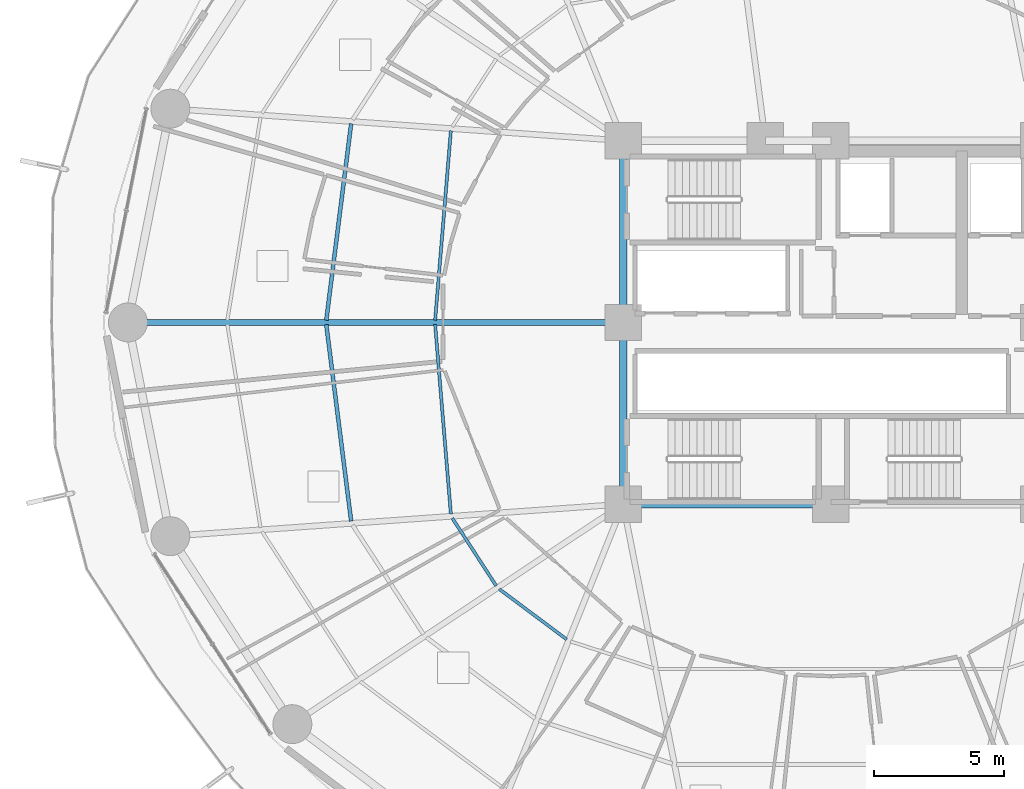
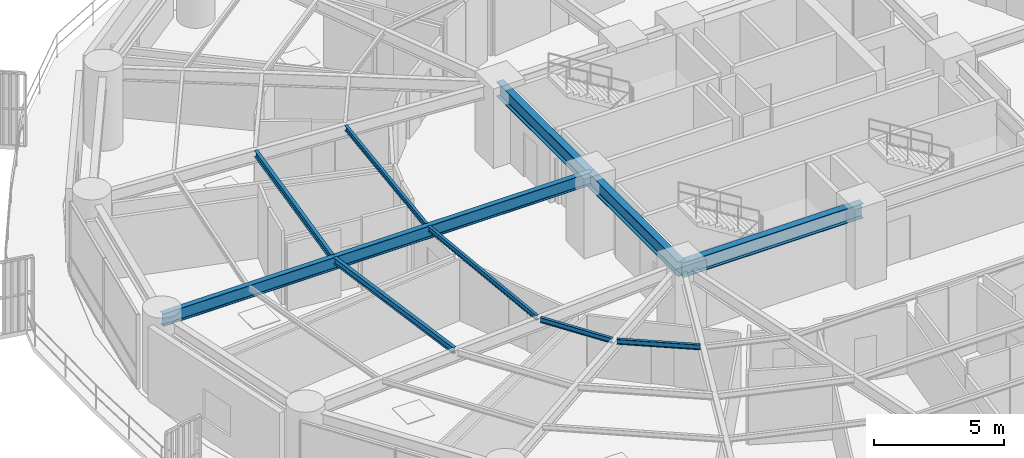
# One storey, part 7 of 32: 10 beams.
"""IFC4 building model written with IfcOpenShell, lengths in metres."""

import ifcopenshell
import ifcopenshell.guid

model = None  # the IFC model being written
_history = None  # IfcOwnerHistory: only IFC2X3 demands one
_inside = {}  # id of a spatial element -> (the spatial element, [elements in it])
_under = {}  # id of a project, library or spatial element -> (it, [spatial elements below it])
_declared = {}  # id of a project -> (the project, [libraries it declares])
_typed = {}  # id of a type object -> (the type object, [elements of that type])
_made_of = {}  # id of a material, layer set ... -> (it, [elements and type objects made of it])


def new_model(schema):
    """Start an empty IFC model of exactly this schema.

    Asked for "IFC4X3", IfcOpenShell would pick the latest addendum, in which some entities
    have other attributes; the version numbers below select the first issue.
    IFC2X3 requires an IfcOwnerHistory on every rooted entity: one is made here for all.
    """
    global model, _history
    if schema == "IFC4X3":
        model = ifcopenshell.file(schema_version=(4, 3, 0, 0))
    else:
        model = ifcopenshell.file(schema=schema)
    _inside.clear()
    _under.clear()
    _declared.clear()
    _typed.clear()
    _made_of.clear()
    _history = None
    if model.schema == "IFC2X3":
        org = make("IfcOrganization", Name="unknown")
        user = make(
            "IfcPersonAndOrganization",
            ThePerson=make("IfcPerson", FamilyName="unknown"),
            TheOrganization=org,
        )
        app = make(
            "IfcApplication",
            ApplicationDeveloper=org,
            Version="unknown",
            ApplicationFullName="unknown",
            ApplicationIdentifier="unknown",
        )
        _history = make(
            "IfcOwnerHistory",
            OwningUser=user,
            OwningApplication=app,
            ChangeAction="ADDED",
            CreationDate=0,
        )
    return model


def make(cls, **values):
    """One entity of the class cls with the attributes given. An attribute that is None is left unset."""
    return model.create_entity(
        cls, **{name: value for name, value in values.items() if value is not None}
    )


def rooted(cls, **values):
    """An entity with a GlobalId (a new one), such as an element, a storey or a relation."""
    return make(cls, GlobalId=ifcopenshell.guid.new(), OwnerHistory=_history, **values)


def si_unit(unit_type, name, prefix=None):
    """IfcSIUnit, for example si_unit("LENGTHUNIT", "METRE", prefix="MILLI")."""
    return make("IfcSIUnit", UnitType=unit_type, Prefix=prefix, Name=name)


def assignment(units):
    """IfcUnitAssignment: the units of a project."""
    return None if units is None else make("IfcUnitAssignment", Units=units)


def point(xyz):
    """IfcCartesianPoint."""
    return None if xyz is None else make("IfcCartesianPoint", Coordinates=xyz)


def direction(xyz):
    """IfcDirection."""
    return None if xyz is None else make("IfcDirection", DirectionRatios=xyz)


def frame(location, z_axis=None, x_axis=None):
    """IfcAxis2Placement3D, a coordinate frame: its origin and axes. An axis left out is left unset."""
    return make(
        "IfcAxis2Placement3D",
        Location=point(location),
        Axis=direction(z_axis),
        RefDirection=direction(x_axis),
    )


def frame_2d(location, x_axis=None):
    """IfcAxis2Placement2D, a coordinate frame in the plane: its origin and x axis."""
    return make(
        "IfcAxis2Placement2D", Location=point(location), RefDirection=direction(x_axis)
    )


def origin():
    """The frame at (0, 0, 0) with its axes left unset."""
    return frame((0.0, 0.0, 0.0))


def origin_2d():
    """The frame at (0, 0) in the plane with its x axis left unset."""
    return frame_2d((0.0, 0.0))


def place(relative_to, where):
    """IfcLocalPlacement: puts the frame where relative to a parent placement (None: the world)."""
    return make(
        "IfcLocalPlacement", PlacementRelTo=relative_to, RelativePlacement=where
    )


def context(
    kind, dimensions, precision=None, world=None, true_north=None, identifier=None
):
    """IfcGeometricRepresentationContext, for example the 3D "Model" context."""
    return make(
        "IfcGeometricRepresentationContext",
        ContextIdentifier=identifier,
        ContextType=kind,
        CoordinateSpaceDimension=dimensions,
        Precision=precision,
        WorldCoordinateSystem=world,
        TrueNorth=true_north,
    )


def subcontext(parent, identifier, kind, view, scale=None):
    """IfcGeometricRepresentationSubContext, for example "Body" below "Model"."""
    return make(
        "IfcGeometricRepresentationSubContext",
        ContextIdentifier=identifier,
        ContextType=kind,
        ParentContext=parent,
        TargetScale=scale,
        TargetView=view,
    )


def project(units=None, contexts=None):
    """IfcProject with its units and contexts."""
    return rooted(
        "IfcProject",
        Name="project",
        RepresentationContexts=contexts,
        UnitsInContext=assignment(units),
    )


def spatial(cls, under=None, at=None, **own):
    """A site, building, storey or space (cls), placed at a placement, below another one or the project."""
    s = rooted(cls, ObjectPlacement=at, **own)
    if under is not None:
        _under.setdefault(under.id(), (under, []))[1].append(s)
    return s


def profile(cls, at=None, kind="AREA", **sizes):
    """A parametric profile (cls). Its sizes go by their IFC names, for example OverallWidth=200.0."""
    return make(cls, ProfileType=kind, Position=at, **sizes)


def i_section(**sizes):
    """IfcIShapeProfileDef."""
    return profile("IfcIShapeProfileDef", **sizes)


def extrude(swept, where, along, depth):
    """IfcExtrudedAreaSolid: the profile swept, set in the frame where, extruded along a direction by depth."""
    return make(
        "IfcExtrudedAreaSolid",
        SweptArea=swept,
        Position=where,
        ExtrudedDirection=direction(along),
        Depth=depth,
    )


def shape(context_of_items, identifier, shape_type, items):
    """IfcShapeRepresentation: the items that make up one representation, for example the "Body"."""
    return make(
        "IfcShapeRepresentation",
        ContextOfItems=context_of_items,
        RepresentationIdentifier=identifier,
        RepresentationType=shape_type,
        Items=items,
    )


def material(Name=None, Category=None):
    """IfcMaterial."""
    return make("IfcMaterial", Name=Name, Category=Category)


def material_profile(
    of_material, cross_section, Name=None, Category=None, Priority=None
):
    """IfcMaterialProfile: a cross section and its material."""
    return make(
        "IfcMaterialProfile",
        Name=Name,
        Material=of_material,
        Profile=cross_section,
        Priority=Priority,
        Category=Category,
    )


def profile_set(profiles, Name=None, composite=None):
    """IfcMaterialProfileSet."""
    return make(
        "IfcMaterialProfileSet",
        Name=Name,
        MaterialProfiles=profiles,
        CompositeProfile=composite,
    )


def made_of(thing, what):
    """Note that an element or type object is made of a material, layer set ...; save() writes the relation."""
    if what is not None:
        _made_of.setdefault(what.id(), (what, []))[1].append(thing)
    return thing


def type_object(cls, material=None, **own):
    """A type object (cls), such as IfcWallType, which elements share."""
    return made_of(rooted(cls, **own), material)


def element(
    cls,
    number,
    at=None,
    inside=None,
    cuts=None,
    type_object=None,
    material=None,
    context=None,
    identifier="Body",
    shape_type=None,
    held_by="IfcProductDefinitionShape",
    body=None,
    shapes=None,
    **own,
):
    """One element of the class cls, such as IfcWall. Its Tag is "e" and its number.

    at: its placement. inside: the storey or other place that contains it. cuts: it is an
    opening in that element (IfcRelVoidsElement). A single representation is given by context,
    identifier, shape_type and body (its items); several are given by shapes. held_by: the class
    of the entity that holds the representations. save() writes the other relations.
    """
    e = rooted(cls, Tag="e%d" % number, ObjectPlacement=at, **own)
    if body is not None:
        shapes = [shape(context, identifier, shape_type, body)]
    if shapes is not None:
        e.Representation = make(held_by, Representations=shapes)
    if inside is not None:
        _inside.setdefault(inside.id(), (inside, []))[1].append(e)
    if cuts is not None:
        rooted(
            "IfcRelVoidsElement", RelatingBuildingElement=cuts, RelatedOpeningElement=e
        )
    if type_object is not None:
        _typed.setdefault(type_object.id(), (type_object, []))[1].append(e)
    return made_of(e, material)


def aggregate(whole, parts):
    """IfcRelAggregates: a whole, such as a stair, and the parts it consists of."""
    return rooted("IfcRelAggregates", RelatingObject=whole, RelatedObjects=parts)


def save(model, path):
    """Write the relations noted so far, then the file.

    IfcRelAggregates (storeys below a building ...), IfcRelContainedInSpatialStructure (elements
    in a storey), IfcRelDefinesByType, IfcRelAssociatesMaterial and IfcRelDeclares: one each for
    every whole, place, type object, material and project.
    """
    for whole, parts in _under.values():
        aggregate(whole, parts)
    for where, things in _inside.values():
        rooted(
            "IfcRelContainedInSpatialStructure",
            RelatedElements=things,
            RelatingStructure=where,
        )
    for kind, things in _typed.values():
        rooted("IfcRelDefinesByType", RelatedObjects=things, RelatingType=kind)
    for what, things in _made_of.values():
        rooted("IfcRelAssociatesMaterial", RelatedObjects=things, RelatingMaterial=what)
    for by, libraries in _declared.values():
        rooted("IfcRelDeclares", RelatingContext=by, RelatedDefinitions=libraries)
    model.write(path)


model = new_model("IFC4")

# Units and contexts
model_context = context("Model", 3, precision=1e-05, world=origin(), true_north=direction((0.0, 1.0)))
body_context = subcontext(model_context, "Body", "Model", "MODEL_VIEW")
ifc_project = project(units=[si_unit("LENGTHUNIT", "METRE"), si_unit("AREAUNIT", "SQUARE_METRE"), si_unit("VOLUMEUNIT", "CUBIC_METRE"), si_unit("PLANEANGLEUNIT", "RADIAN"), si_unit("MASSUNIT", "GRAM", prefix="KILO")], contexts=[model_context])

# Site, building, storey
site_placement = place(None, origin())
site = spatial("IfcSite", under=ifc_project, at=site_placement, CompositionType="ELEMENT")
building_placement = place(site_placement, origin())
building = spatial("IfcBuilding", under=site, at=building_placement, Name="Kelanora Arch Commons", CompositionType="ELEMENT")
storey_placement = place(building_placement, frame((0.0, 0.0, 48.75)))
storey = spatial("IfcBuildingStorey", under=building, at=storey_placement, Name="L12", CompositionType="ELEMENT", Elevation=48.75)

# Beams
ifc_material = material(Name="Steel S355", Category="steel")
ifc_material_profile_1 = material_profile(ifc_material, i_section(OverallWidth=0.300048828125, OverallDepth=0.699951171875, WebThickness=0.01708984375, FlangeThickness=0.031982421875, FilletRadius=0.027099609375, at=origin_2d()), Name="HEB700")
ifc_profile_set_1 = profile_set([ifc_material_profile_1], Name="Steel S355")
beam_type_1 = type_object("IfcBeamType", Name="BM-CORE-HDR", PredefinedType="BEAM", material=ifc_profile_set_1)
beam_1_placement = place(storey_placement, frame((66.0, 51.0, 3.139892578125), z_axis=(1.0, 0.0, 0.0), x_axis=(0.0, 1.0, 0.0)))
element("IfcBeam", 1, at=beam_1_placement, inside=storey, type_object=beam_type_1, Name="Core Header Beam 01 L12", PredefinedType="BEAM", context=body_context, shape_type="SweptSolid", body=[
    extrude(i_section(OverallWidth=0.300048828125, OverallDepth=0.699951171875, WebThickness=0.01708984375, FlangeThickness=0.031982421875, FilletRadius=0.027099609375, at=origin_2d()), origin(), (0.0, 0.0, 1.0), 8.0),
])
for number, where, z_axis, x_axis, name in (
    (2, (66.0, 65.0, 3.139892578125), (0.0, -1.0, 0.0), (1.0, 0.0, 0.0), "Core Header Beam 08 L12"),
    (3, (66.0, 58.0, 3.139892578125), (0.0, -1.0, 0.0), (1.0, 0.0, 0.0), "Core Header Beam 09 L12"),
):
    element("IfcBeam", number, at=place(storey_placement, frame(where, z_axis=z_axis, x_axis=x_axis)), inside=storey, type_object=beam_type_1, Name=name, PredefinedType="BEAM", context=body_context, shape_type="SweptSolid", body=[
        extrude(i_section(OverallWidth=0.300048828125, OverallDepth=0.699951171875, WebThickness=0.01708984375, FlangeThickness=0.031982421875, FilletRadius=0.027099609375, at=origin_2d()), origin(), (0.0, 0.0, 1.0), 7.0),
    ])
ifc_material_profile_2 = material_profile(ifc_material, i_section(OverallWidth=0.14990234375, OverallDepth=0.300048828125, WebThickness=0.007080078125, FlangeThickness=0.0107421875, FilletRadius=0.014892578125, at=origin_2d()), Name="IPE300")
ifc_profile_set_2 = profile_set([ifc_material_profile_2], Name="Steel S355")
beam_type_2 = type_object("IfcBeamType", Name="BM-JST-01", PredefinedType="JOIST", material=ifc_profile_set_2)
for number, where, z_axis, x_axis, name in (
    (4, (55.521240234375, 65.6572265625, 3.340087890625), (-0.125565841651, -0.992085288375, 0.0), (0.992085288375, -0.125565841651, 0.0), "Secondary Chord Joist BJB-16 L12"),
    (5, (54.562744140625, 57.915771484375, 3.340087890625), (0.125565841651, -0.992085288375, 0.0), (0.992085288375, 0.125565841651, 0.0), "Secondary Chord Joist BJB-18 L12"),
):
    element("IfcBeam", number, at=place(storey_placement, frame(where, z_axis=z_axis, x_axis=x_axis)), inside=storey, type_object=beam_type_2, Name=name, PredefinedType="JOIST", context=body_context, shape_type="SweptSolid", body=[
        extrude(i_section(OverallWidth=0.14990234375, OverallDepth=0.300048828125, WebThickness=0.007080078125, FlangeThickness=0.0107421875, FilletRadius=0.014892578125, at=origin_2d()), origin(), (0.0, 0.0, 1.0), 7.63330078125),
    ])
ifc_material_profile_3 = material_profile(ifc_material, i_section(OverallWidth=0.1201171875, OverallDepth=0.239990234375, WebThickness=0.006103515625, FlangeThickness=0.009765625, FilletRadius=0.014892578125, at=origin_2d()), Name="IPE240")
ifc_profile_set_3 = profile_set([ifc_material_profile_3], Name="Steel S355")
beam_type_3 = type_object("IfcBeamType", Name="BM-JST-02", PredefinedType="JOIST", material=ifc_profile_set_3)
for number, where, z_axis, x_axis, name in (
    (6, (59.363037109375, 65.385009765625, 3.3701171875), (-0.082786209886, -0.996567330115, 0.0), (0.996567330115, -0.082786209886, 0.0), "Secondary Chord Joist BJA-16 L12"),
    (7, (58.756591796875, 57.915283203125, 3.3701171875), (0.082786209886, -0.996567330115, 0.0), (0.996567330115, 0.082786209886, 0.0), "Secondary Chord Joist BJA-18 L12"),
):
    element("IfcBeam", number, at=place(storey_placement, frame(where, z_axis=z_axis, x_axis=x_axis)), inside=storey, type_object=beam_type_3, Name=name, PredefinedType="JOIST", context=body_context, shape_type="SweptSolid", body=[
        extrude(i_section(OverallWidth=0.1201171875, OverallDepth=0.239990234375, WebThickness=0.006103515625, FlangeThickness=0.009765625, FilletRadius=0.014892578125, at=origin_2d()), origin(), (0.0, 0.0, 1.0), 7.325439453125),
    ])
beam_2_placement = place(storey_placement, frame((59.41650390625, 50.458984375, 3.3701171875), z_axis=(0.544591105858, -0.838701691557, 0.0), x_axis=(0.838701691557, 0.544591105858, 0.0)))
element("IfcBeam", 8, at=beam_2_placement, inside=storey, type_object=beam_type_3, Name="Secondary Chord Joist BJA-20 L12", PredefinedType="JOIST", context=body_context, shape_type="SweptSolid", body=[
    extrude(i_section(OverallWidth=0.1201171875, OverallDepth=0.239990234375, WebThickness=0.006103515625, FlangeThickness=0.009765625, FilletRadius=0.014892578125, at=origin_2d()), origin(), (0.0, 0.0, 1.0), 3.111328125),
])
beam_3_placement = place(storey_placement, frame((61.22509765625, 47.727294921875, 3.3701171875), z_axis=(0.801513822608, -0.59797624716, 0.0), x_axis=(0.59797624716, 0.801513822608, 0.0)))
element("IfcBeam", 9, at=beam_3_placement, inside=storey, type_object=beam_type_3, Name="Secondary Chord Joist BJA-22 L12", PredefinedType="JOIST", context=body_context, shape_type="SweptSolid", body=[
    extrude(i_section(OverallWidth=0.1201171875, OverallDepth=0.239990234375, WebThickness=0.006103515625, FlangeThickness=0.009765625, FilletRadius=0.014892578125, at=origin_2d()), origin(), (0.0, 0.0, 1.0), 3.245849609375),
])
ifc_material_profile_4 = material_profile(ifc_material, i_section(OverallWidth=0.219970703125, OverallDepth=0.60009765625, WebThickness=0.011962890625, FlangeThickness=0.01904296875, FilletRadius=0.02392578125, at=origin_2d()), Name="IPE600")
ifc_profile_set_4 = profile_set([ifc_material_profile_4], Name="Steel S355")
beam_type_4 = type_object("IfcBeamType", Name="BM-RAD-Z1", PredefinedType="BEAM", material=ifc_profile_set_4)
beam_4_placement = place(storey_placement, frame((66.0, 58.0, 3.18994140625), z_axis=(-1.0, 0.0, 0.0), x_axis=(0.0, -1.0, 0.0)))
element("IfcBeam", 10, at=beam_4_placement, inside=storey, type_object=beam_type_4, Name="Radial Floor Girder BR-18 L12", PredefinedType="BEAM", context=body_context, shape_type="SweptSolid", body=[
    extrude(i_section(OverallWidth=0.219970703125, OverallDepth=0.60009765625, WebThickness=0.011962890625, FlangeThickness=0.01904296875, FilletRadius=0.02392578125, at=origin_2d()), origin(), (0.0, 0.0, 1.0), 19.080078125),
])

save(model, "model.ifc")
